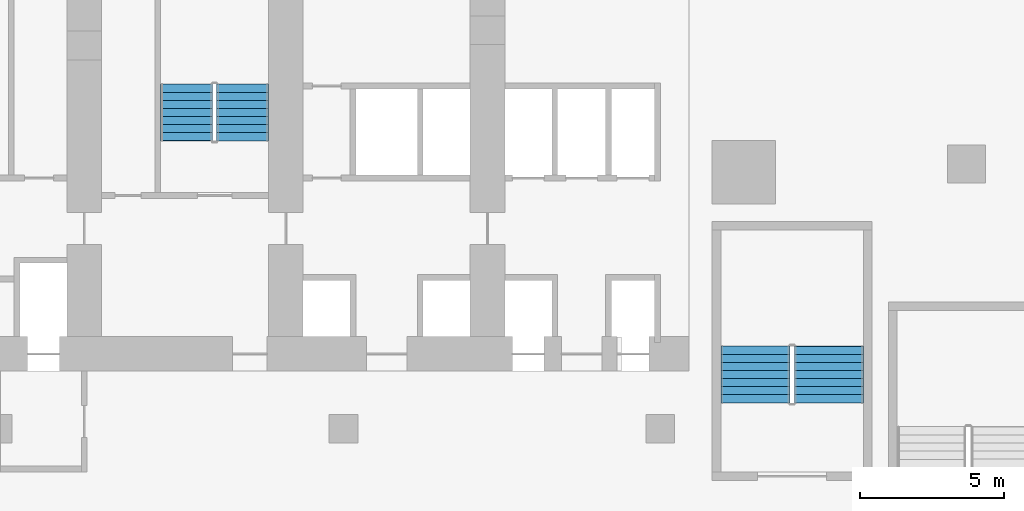
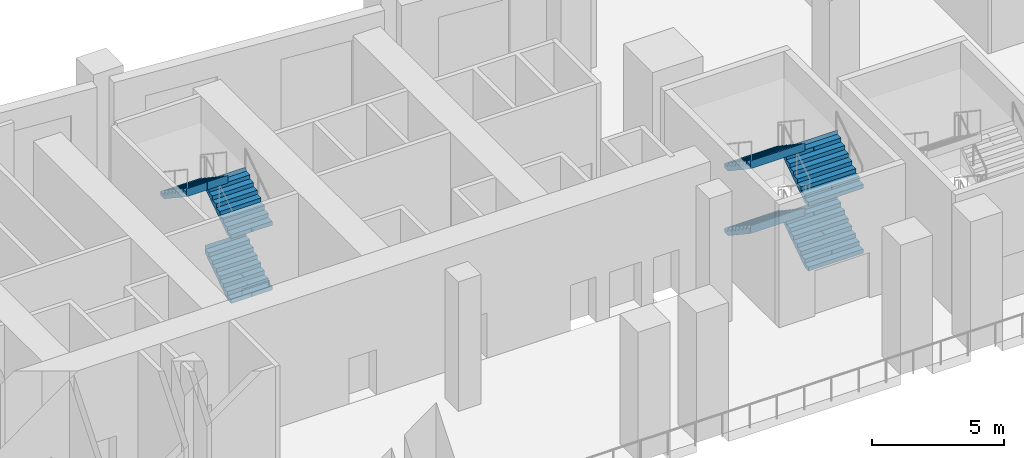
# One storey, part 21 of 30: 7 stair flights, 2 elements without a shape of their own.
"""IFC4 building model written with IfcOpenShell, lengths in metres."""

from ifc_helpers import new_model, si_unit, direction, frame, origin, place, context, subcontext, project, spatial, polyline, outline, extrude, material, type_object, element, aggregate, save


model = new_model("IFC4")

# Units and contexts
model_context = context("Model", 3, precision=1e-05, world=origin(), true_north=direction((0.0, 1.0)))
body_context = subcontext(model_context, "Body", "Model", "MODEL_VIEW")
ifc_project = project(units=[si_unit("LENGTHUNIT", "METRE"), si_unit("AREAUNIT", "SQUARE_METRE"), si_unit("VOLUMEUNIT", "CUBIC_METRE"), si_unit("PLANEANGLEUNIT", "RADIAN"), si_unit("MASSUNIT", "GRAM", prefix="KILO")], contexts=[model_context])

# Site, building, storey
site_placement = place(None, origin())
site = spatial("IfcSite", under=ifc_project, at=site_placement, CompositionType="ELEMENT")
building_placement = place(site_placement, origin())
building = spatial("IfcBuilding", under=site, at=building_placement, Name="Wharfspan Tower", CompositionType="ELEMENT")
storey_placement = place(building_placement, frame((0.0, 0.0, 21.5)))
storey = spatial("IfcBuildingStorey", under=building, at=storey_placement, Name="L03", CompositionType="ELEMENT", Elevation=21.5)

# Stair, stair flights
ifc_material = material(Name="Concrete C40/50", Category="concrete")
stair_type_1 = type_object("IfcStairType", Name="Half-turn stair 2400 wide 32 risers 188 mm", PredefinedType="HALF_TURN_STAIR", material=ifc_material)
stair_1_placement = place(storey_placement, origin())
stair_1 = element("IfcStair", 1, at=stair_1_placement, inside=storey, type_object=stair_type_1, Name="L03 stair PS4", PredefinedType="HALF_TURN_STAIR")
stair_flight_type_1 = type_object("IfcStairFlightType", Name="Stair flight 2400 wide 32 risers 188 mm", PredefinedType="STRAIGHT", material=ifc_material)
stair_flight_1_placement = place(storey_placement, frame((69.850098, 32.899902, 0.0), z_axis=(0.0, 0.0, 1.0), x_axis=(0.0, 1.0, 0.0)))
stair_flight_1 = element("IfcStairFlight", 2, at=stair_flight_1_placement, type_object=stair_flight_type_1, Name="PS4 flight 1", NumberOfRisers=8, NumberOfTreads=7, PredefinedType="STRAIGHT", RiserHeight=0.1875, TreadLength=0.28, context=body_context, shape_type="SweptSolid", body=[
    extrude(outline(polyline([(-0.011963, 0.0), (-0.011963, 0.1875), (0.0, 0.1875), (0.280029, 0.1875), (0.280029, 0.375), (0.560059, 0.375), (0.560059, 0.5625), (0.840088, 0.5625), (0.840088, 0.75), (1.120117, 0.75), (1.120117, 0.9375), (1.399902, 0.9375), (1.399902, 1.125), (1.679932, 1.125), (1.679932, 1.3125), (1.959961, 1.3125), (1.971924, 1.5), (1.971924, 1.13208), (0.269531, 0.0), (-0.011963, 0.0)])), frame((0.0, 1.199951, 0.0), z_axis=(0.0, -1.0, 0.0), x_axis=(1.0, 0.0, 0.0)), (0.0, 0.0, 1.0), 1.179443),
    extrude(outline(polyline([(-0.011963, 0.0), (-0.011963, 0.1875), (0.0, 0.1875), (0.280029, 0.1875), (0.280029, 0.375), (0.560059, 0.375), (0.560059, 0.5625), (0.840088, 0.5625), (0.840088, 0.75), (1.120117, 0.75), (1.120117, 0.9375), (1.399902, 0.9375), (1.399902, 1.125), (1.679932, 1.125), (1.679932, 1.3125), (1.959961, 1.3125), (1.971924, 1.5), (1.971924, 1.13208), (0.269531, 0.0), (-0.011963, 0.0)])), frame((0.0, 0.019531, 0.0), z_axis=(0.0, -1.0, 0.0), x_axis=(1.0, 0.0, 0.0)), (0.0, 0.0, 1.0), 0.019043),
    extrude(outline(polyline([(-0.011963, 0.0), (-0.011963, 0.1875), (0.0, 0.1875), (0.280029, 0.1875), (0.280029, 0.375), (0.560059, 0.375), (0.560059, 0.5625), (0.840088, 0.5625), (0.840088, 0.75), (1.120117, 0.75), (1.120117, 0.9375), (1.399902, 0.9375), (1.399902, 1.125), (1.679932, 1.125), (1.679932, 1.3125), (1.959961, 1.3125), (1.971924, 1.5), (1.971924, 1.13208), (0.269531, 0.0), (-0.011963, 0.0)])), frame((0.0, -0.000488, 0.0), z_axis=(0.0, -1.0, 0.0), x_axis=(1.0, 0.0, 0.0)), (0.0, 0.0, 1.0), 0.019043),
    extrude(outline(polyline([(-0.011963, 0.0), (-0.011963, 0.1875), (0.0, 0.1875), (0.280029, 0.1875), (0.280029, 0.375), (0.560059, 0.375), (0.560059, 0.5625), (0.840088, 0.5625), (0.840088, 0.75), (1.120117, 0.75), (1.120117, 0.9375), (1.399902, 0.9375), (1.399902, 1.125), (1.679932, 1.125), (1.679932, 1.3125), (1.959961, 1.3125), (1.971924, 1.5), (1.971924, 1.13208), (0.269531, 0.0), (-0.011963, 0.0)])), frame((0.0, -0.020508, 0.0), z_axis=(0.0, -1.0, 0.0), x_axis=(1.0, 0.0, 0.0)), (0.0, 0.0, 1.0), 1.179443),
])
stair_flight_2_placement = place(storey_placement, frame((67.300049, 34.860107, 1.5), z_axis=(0.0, 0.0, 1.0), x_axis=(0.0, -1.0, 0.0)))
stair_flight_2 = element("IfcStairFlight", 3, at=stair_flight_2_placement, type_object=stair_flight_type_1, Name="PS4 flight 2", NumberOfRisers=8, NumberOfTreads=7, PredefinedType="STRAIGHT", RiserHeight=0.1875, TreadLength=0.28, context=body_context, shape_type="SweptSolid", body=[
    extrude(outline(polyline([(-0.011963, 0.0), (-0.011963, 0.1875), (0.0, 0.1875), (0.280029, 0.1875), (0.280029, 0.375), (0.560059, 0.375), (0.560059, 0.5625), (0.840088, 0.5625), (0.840088, 0.75), (1.120117, 0.75), (1.120117, 0.9375), (1.399902, 0.9375), (1.399902, 1.125), (1.679932, 1.125), (1.679932, 1.3125), (1.959961, 1.3125), (1.971924, 1.5), (1.971924, 1.13208), (0.269531, 0.0), (-0.011963, 0.0)])), frame((0.0, 1.199951, 0.0), z_axis=(0.0, -1.0, 0.0), x_axis=(1.0, 0.0, 0.0)), (0.0, 0.0, 1.0), 1.179443),
    extrude(outline(polyline([(-0.011963, 0.0), (-0.011963, 0.1875), (0.0, 0.1875), (0.280029, 0.1875), (0.280029, 0.375), (0.560059, 0.375), (0.560059, 0.5625), (0.840088, 0.5625), (0.840088, 0.75), (1.120117, 0.75), (1.120117, 0.9375), (1.399902, 0.9375), (1.399902, 1.125), (1.679932, 1.125), (1.679932, 1.3125), (1.959961, 1.3125), (1.971924, 1.5), (1.971924, 1.13208), (0.269531, 0.0), (-0.011963, 0.0)])), frame((0.0, 0.019531, 0.0), z_axis=(0.0, -1.0, 0.0), x_axis=(1.0, 0.0, 0.0)), (0.0, 0.0, 1.0), 0.019043),
    extrude(outline(polyline([(-0.011963, 0.0), (-0.011963, 0.1875), (0.0, 0.1875), (0.280029, 0.1875), (0.280029, 0.375), (0.560059, 0.375), (0.560059, 0.5625), (0.840088, 0.5625), (0.840088, 0.75), (1.120117, 0.75), (1.120117, 0.9375), (1.399902, 0.9375), (1.399902, 1.125), (1.679932, 1.125), (1.679932, 1.3125), (1.959961, 1.3125), (1.971924, 1.5), (1.971924, 1.13208), (0.269531, 0.0), (-0.011963, 0.0)])), frame((0.0, -0.000488, 0.0), z_axis=(0.0, -1.0, 0.0), x_axis=(1.0, 0.0, 0.0)), (0.0, 0.0, 1.0), 0.019043),
    extrude(outline(polyline([(-0.011963, 0.0), (-0.011963, 0.1875), (0.0, 0.1875), (0.280029, 0.1875), (0.280029, 0.375), (0.560059, 0.375), (0.560059, 0.5625), (0.840088, 0.5625), (0.840088, 0.75), (1.120117, 0.75), (1.120117, 0.9375), (1.399902, 0.9375), (1.399902, 1.125), (1.679932, 1.125), (1.679932, 1.3125), (1.959961, 1.3125), (1.971924, 1.5), (1.971924, 1.13208), (0.269531, 0.0), (-0.011963, 0.0)])), frame((0.0, -0.020508, 0.0), z_axis=(0.0, -1.0, 0.0), x_axis=(1.0, 0.0, 0.0)), (0.0, 0.0, 1.0), 1.179443),
])
stair_flight_3_placement = place(storey_placement, frame((69.850098, 32.899902, 3.0), z_axis=(0.0, 0.0, 1.0), x_axis=(0.0, 1.0, 0.0)))
stair_flight_3 = element("IfcStairFlight", 4, at=stair_flight_3_placement, type_object=stair_flight_type_1, Name="PS4 flight 3", NumberOfRisers=8, NumberOfTreads=7, PredefinedType="STRAIGHT", RiserHeight=0.1875, TreadLength=0.28, context=body_context, shape_type="SweptSolid", body=[
    extrude(outline(polyline([(-0.011963, 0.0), (-0.011963, 0.1875), (0.0, 0.1875), (0.280029, 0.1875), (0.280029, 0.375), (0.560059, 0.375), (0.560059, 0.5625), (0.840088, 0.5625), (0.840088, 0.75), (1.120117, 0.75), (1.120117, 0.9375), (1.399902, 0.9375), (1.399902, 1.125), (1.679932, 1.125), (1.679932, 1.3125), (1.959961, 1.3125), (1.971924, 1.5), (1.971924, 1.13208), (0.269531, 0.0), (-0.011963, 0.0)])), frame((0.0, 1.199951, 0.0), z_axis=(0.0, -1.0, 0.0), x_axis=(1.0, 0.0, 0.0)), (0.0, 0.0, 1.0), 1.179443),
    extrude(outline(polyline([(-0.011963, 0.0), (-0.011963, 0.1875), (0.0, 0.1875), (0.280029, 0.1875), (0.280029, 0.375), (0.560059, 0.375), (0.560059, 0.5625), (0.840088, 0.5625), (0.840088, 0.75), (1.120117, 0.75), (1.120117, 0.9375), (1.399902, 0.9375), (1.399902, 1.125), (1.679932, 1.125), (1.679932, 1.3125), (1.959961, 1.3125), (1.971924, 1.5), (1.971924, 1.13208), (0.269531, 0.0), (-0.011963, 0.0)])), frame((0.0, 0.019531, 0.0), z_axis=(0.0, -1.0, 0.0), x_axis=(1.0, 0.0, 0.0)), (0.0, 0.0, 1.0), 0.019043),
    extrude(outline(polyline([(-0.011963, 0.0), (-0.011963, 0.1875), (0.0, 0.1875), (0.280029, 0.1875), (0.280029, 0.375), (0.560059, 0.375), (0.560059, 0.5625), (0.840088, 0.5625), (0.840088, 0.75), (1.120117, 0.75), (1.120117, 0.9375), (1.399902, 0.9375), (1.399902, 1.125), (1.679932, 1.125), (1.679932, 1.3125), (1.959961, 1.3125), (1.971924, 1.5), (1.971924, 1.13208), (0.269531, 0.0), (-0.011963, 0.0)])), frame((0.0, -0.000488, 0.0), z_axis=(0.0, -1.0, 0.0), x_axis=(1.0, 0.0, 0.0)), (0.0, 0.0, 1.0), 0.019043),
    extrude(outline(polyline([(-0.011963, 0.0), (-0.011963, 0.1875), (0.0, 0.1875), (0.280029, 0.1875), (0.280029, 0.375), (0.560059, 0.375), (0.560059, 0.5625), (0.840088, 0.5625), (0.840088, 0.75), (1.120117, 0.75), (1.120117, 0.9375), (1.399902, 0.9375), (1.399902, 1.125), (1.679932, 1.125), (1.679932, 1.3125), (1.959961, 1.3125), (1.971924, 1.5), (1.971924, 1.13208), (0.269531, 0.0), (-0.011963, 0.0)])), frame((0.0, -0.020508, 0.0), z_axis=(0.0, -1.0, 0.0), x_axis=(1.0, 0.0, 0.0)), (0.0, 0.0, 1.0), 1.179443),
])
stair_flight_4_placement = place(storey_placement, frame((67.300049, 34.860107, 4.5), z_axis=(0.0, 0.0, 1.0), x_axis=(0.0, -1.0, 0.0)))
stair_flight_4 = element("IfcStairFlight", 5, at=stair_flight_4_placement, type_object=stair_flight_type_1, Name="PS4 flight 4", NumberOfRisers=8, NumberOfTreads=7, PredefinedType="STRAIGHT", RiserHeight=0.1875, TreadLength=0.28, context=body_context, shape_type="SweptSolid", body=[
    extrude(outline(polyline([(-0.011963, 0.0), (-0.011963, 0.1875), (0.0, 0.1875), (0.280029, 0.1875), (0.280029, 0.375), (0.560059, 0.375), (0.560059, 0.5625), (0.840088, 0.5625), (0.840088, 0.75), (1.120117, 0.75), (1.120117, 0.9375), (1.399902, 0.9375), (1.399902, 1.125), (1.679932, 1.125), (1.679932, 1.3125), (1.959961, 1.3125), (1.971924, 1.5), (1.971924, 1.13208), (0.269531, 0.0), (-0.011963, 0.0)])), frame((0.0, 1.199951, 0.0), z_axis=(0.0, -1.0, 0.0), x_axis=(1.0, 0.0, 0.0)), (0.0, 0.0, 1.0), 1.179443),
    extrude(outline(polyline([(-0.011963, 0.0), (-0.011963, 0.1875), (0.0, 0.1875), (0.280029, 0.1875), (0.280029, 0.375), (0.560059, 0.375), (0.560059, 0.5625), (0.840088, 0.5625), (0.840088, 0.75), (1.120117, 0.75), (1.120117, 0.9375), (1.399902, 0.9375), (1.399902, 1.125), (1.679932, 1.125), (1.679932, 1.3125), (1.959961, 1.3125), (1.971924, 1.5), (1.971924, 1.13208), (0.269531, 0.0), (-0.011963, 0.0)])), frame((0.0, 0.019531, 0.0), z_axis=(0.0, -1.0, 0.0), x_axis=(1.0, 0.0, 0.0)), (0.0, 0.0, 1.0), 0.019043),
    extrude(outline(polyline([(-0.011963, 0.0), (-0.011963, 0.1875), (0.0, 0.1875), (0.280029, 0.1875), (0.280029, 0.375), (0.560059, 0.375), (0.560059, 0.5625), (0.840088, 0.5625), (0.840088, 0.75), (1.120117, 0.75), (1.120117, 0.9375), (1.399902, 0.9375), (1.399902, 1.125), (1.679932, 1.125), (1.679932, 1.3125), (1.959961, 1.3125), (1.971924, 1.5), (1.971924, 1.13208), (0.269531, 0.0), (-0.011963, 0.0)])), frame((0.0, -0.000488, 0.0), z_axis=(0.0, -1.0, 0.0), x_axis=(1.0, 0.0, 0.0)), (0.0, 0.0, 1.0), 0.019043),
    extrude(outline(polyline([(-0.011963, 0.0), (-0.011963, 0.1875), (0.0, 0.1875), (0.280029, 0.1875), (0.280029, 0.375), (0.560059, 0.375), (0.560059, 0.5625), (0.840088, 0.5625), (0.840088, 0.75), (1.120117, 0.75), (1.120117, 0.9375), (1.399902, 0.9375), (1.399902, 1.125), (1.679932, 1.125), (1.679932, 1.3125), (1.959961, 1.3125), (1.971924, 1.5), (1.971924, 1.13208), (0.269531, 0.0), (-0.011963, 0.0)])), frame((0.0, -0.020508, 0.0), z_axis=(0.0, -1.0, 0.0), x_axis=(1.0, 0.0, 0.0)), (0.0, 0.0, 1.0), 1.179443),
])
aggregate(stair_1, [stair_flight_1, stair_flight_2, stair_flight_3, stair_flight_4])

stair_type_2 = type_object("IfcStairType", Name="Half-turn stair 32 risers 188 mm", PredefinedType="HALF_TURN_STAIR", material=ifc_material)
stair_2_placement = place(storey_placement, origin())
stair_2 = element("IfcStair", 6, at=stair_2_placement, inside=storey, type_object=stair_type_2, Name="L03 stair ST2", PredefinedType="HALF_TURN_STAIR")
stair_flight_type_2 = type_object("IfcStairFlightType", Name="Stair flight 32 risers 188 mm", PredefinedType="STRAIGHT", material=ifc_material)
stair_flight_5_placement = place(storey_placement, frame((49.5, 42.0, 0.0), z_axis=(0.0, 0.0, 1.0), x_axis=(0.0, 1.0, 0.0)))
stair_flight_5 = element("IfcStairFlight", 7, at=stair_flight_5_placement, type_object=stair_flight_type_2, Name="ST2 flight 1", NumberOfRisers=8, NumberOfTreads=7, PredefinedType="STRAIGHT", RiserHeight=0.1875, TreadLength=0.28, context=body_context, shape_type="SweptSolid", body=[
    extrude(outline(polyline([(-0.011963, 0.0), (-0.011963, 0.1875), (0.0, 0.1875), (0.280029, 0.1875), (0.280029, 0.375), (0.560059, 0.375), (0.560059, 0.5625), (0.840088, 0.5625), (0.840088, 0.75), (1.120117, 0.75), (1.120117, 0.9375), (1.399902, 0.9375), (1.399902, 1.125), (1.679932, 1.125), (1.679932, 1.3125), (1.959961, 1.3125), (1.971924, 1.5), (1.971924, 1.13208), (0.269531, 0.0), (-0.011963, 0.0)])), frame((0.0, 0.899902, 0.0), z_axis=(0.0, -1.0, 0.0), x_axis=(1.0, 0.0, 0.0)), (0.0, 0.0, 1.0), 0.899414),
    extrude(outline(polyline([(-0.011963, 0.0), (-0.011963, 0.1875), (0.0, 0.1875), (0.280029, 0.1875), (0.280029, 0.375), (0.560059, 0.375), (0.560059, 0.5625), (0.840088, 0.5625), (0.840088, 0.75), (1.120117, 0.75), (1.120117, 0.9375), (1.399902, 0.9375), (1.399902, 1.125), (1.679932, 1.125), (1.679932, 1.3125), (1.959961, 1.3125), (1.971924, 1.5), (1.971924, 1.13208), (0.269531, 0.0), (-0.011963, 0.0)])), frame((0.0, -0.000488, 0.0), z_axis=(0.0, -1.0, 0.0), x_axis=(1.0, 0.0, 0.0)), (0.0, 0.0, 1.0), 0.899414),
])
stair_flight_6_placement = place(storey_placement, frame((49.5, 42.0, 3.0), z_axis=(0.0, 0.0, 1.0), x_axis=(0.0, 1.0, 0.0)))
stair_flight_6 = element("IfcStairFlight", 8, at=stair_flight_6_placement, type_object=stair_flight_type_2, Name="ST2 flight 3", NumberOfRisers=8, NumberOfTreads=7, PredefinedType="STRAIGHT", RiserHeight=0.1875, TreadLength=0.28, context=body_context, shape_type="SweptSolid", body=[
    extrude(outline(polyline([(-0.011963, 0.0), (-0.011963, 0.1875), (0.0, 0.1875), (0.280029, 0.1875), (0.280029, 0.375), (0.560059, 0.375), (0.560059, 0.5625), (0.840088, 0.5625), (0.840088, 0.75), (1.120117, 0.75), (1.120117, 0.9375), (1.399902, 0.9375), (1.399902, 1.125), (1.679932, 1.125), (1.679932, 1.3125), (1.959961, 1.3125), (1.971924, 1.5), (1.971924, 1.13208), (0.269531, 0.0), (-0.011963, 0.0)])), frame((0.0, 0.899902, 0.0), z_axis=(0.0, -1.0, 0.0), x_axis=(1.0, 0.0, 0.0)), (0.0, 0.0, 1.0), 0.899414),
    extrude(outline(polyline([(-0.011963, 0.0), (-0.011963, 0.1875), (0.0, 0.1875), (0.280029, 0.1875), (0.280029, 0.375), (0.560059, 0.375), (0.560059, 0.5625), (0.840088, 0.5625), (0.840088, 0.75), (1.120117, 0.75), (1.120117, 0.9375), (1.399902, 0.9375), (1.399902, 1.125), (1.679932, 1.125), (1.679932, 1.3125), (1.959961, 1.3125), (1.971924, 1.5), (1.971924, 1.13208), (0.269531, 0.0), (-0.011963, 0.0)])), frame((0.0, -0.000488, 0.0), z_axis=(0.0, -1.0, 0.0), x_axis=(1.0, 0.0, 0.0)), (0.0, 0.0, 1.0), 0.899414),
])
stair_flight_7_placement = place(storey_placement, frame((47.550049, 43.959961, 4.5), z_axis=(0.0, 0.0, 1.0), x_axis=(0.0, -1.0, 0.0)))
stair_flight_7 = element("IfcStairFlight", 9, at=stair_flight_7_placement, type_object=stair_flight_type_2, Name="ST2 flight 4", NumberOfRisers=8, NumberOfTreads=7, PredefinedType="STRAIGHT", RiserHeight=0.1875, TreadLength=0.28, context=body_context, shape_type="SweptSolid", body=[
    extrude(outline(polyline([(-0.011963, 0.0), (-0.011963, 0.1875), (0.0, 0.1875), (0.280029, 0.1875), (0.280029, 0.375), (0.560059, 0.375), (0.560059, 0.5625), (0.840088, 0.5625), (0.840088, 0.75), (1.120117, 0.75), (1.120117, 0.9375), (1.399902, 0.9375), (1.399902, 1.125), (1.679932, 1.125), (1.679932, 1.3125), (1.959961, 1.3125), (1.971924, 1.5), (1.971924, 1.13208), (0.269531, 0.0), (-0.011963, 0.0)])), frame((0.0, 0.899902, 0.0), z_axis=(0.0, -1.0, 0.0), x_axis=(1.0, 0.0, 0.0)), (0.0, 0.0, 1.0), 0.899414),
    extrude(outline(polyline([(-0.011963, 0.0), (-0.011963, 0.1875), (0.0, 0.1875), (0.280029, 0.1875), (0.280029, 0.375), (0.560059, 0.375), (0.560059, 0.5625), (0.840088, 0.5625), (0.840088, 0.75), (1.120117, 0.75), (1.120117, 0.9375), (1.399902, 0.9375), (1.399902, 1.125), (1.679932, 1.125), (1.679932, 1.3125), (1.959961, 1.3125), (1.971924, 1.5), (1.971924, 1.13208), (0.269531, 0.0), (-0.011963, 0.0)])), frame((0.0, -0.000488, 0.0), z_axis=(0.0, -1.0, 0.0), x_axis=(1.0, 0.0, 0.0)), (0.0, 0.0, 1.0), 0.899414),
])
aggregate(stair_2, [stair_flight_5, stair_flight_6, stair_flight_7])

save(model, "model.ifc")
